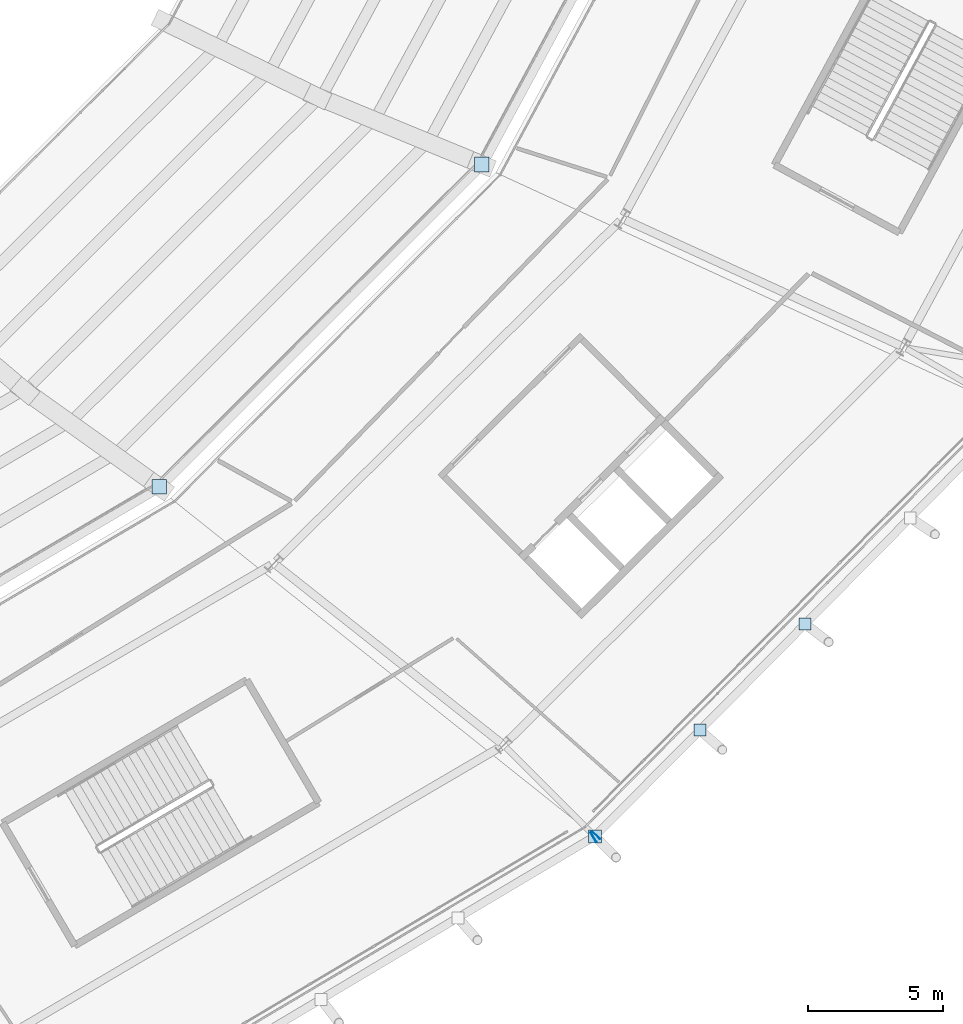
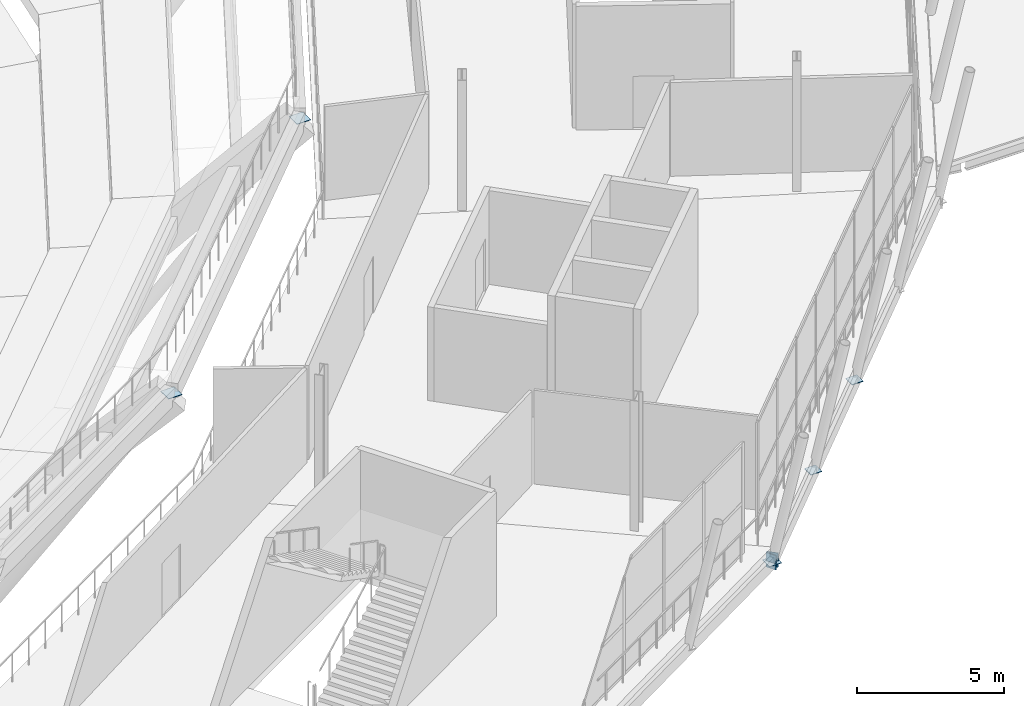
# One storey, part 84 of 126: 7 plates.
"""IFC4 building model written with IfcOpenShell, lengths in metres."""

from ifc_helpers import new_model, si_unit, direction, frame, origin, origin_2d, place, context, subcontext, project, spatial, rectangle, extrude, material, layer, layer_set, type_object, element, save


model = new_model("IFC4")

# Units and contexts
model_context = context("Model", 3, precision=1e-05, world=origin(), true_north=direction((0.0, 1.0)))
body_context = subcontext(model_context, "Body", "Model", "MODEL_VIEW")
ifc_project = project(units=[si_unit("LENGTHUNIT", "METRE"), si_unit("AREAUNIT", "SQUARE_METRE"), si_unit("VOLUMEUNIT", "CUBIC_METRE"), si_unit("PLANEANGLEUNIT", "RADIAN"), si_unit("MASSUNIT", "GRAM", prefix="KILO")], contexts=[model_context])

# Site, building, storey
site_placement = place(None, origin())
site = spatial("IfcSite", under=ifc_project, at=site_placement, CompositionType="ELEMENT")
building_placement = place(site_placement, origin())
building = spatial("IfcBuilding", under=site, at=building_placement, Name="Zlatoyarsky Gate Stadium", CompositionType="ELEMENT")
storey_placement = place(building_placement, frame((0.0, 0.0, 20.800048828125)))
storey = spatial("IfcBuildingStorey", under=building, at=storey_placement, Name="L04", CompositionType="ELEMENT", Elevation=20.800048828125)

# Plates
ifc_material = material(Name="Steel S355", Category="steel")
ifc_layer = layer(ifc_material, 0.02392578125)
ifc_layer_set = layer_set([ifc_layer], Name="Steel S355")
plate_type = type_object("IfcPlateType", Name="STEEL HOLLOW CHORD SPLICE SHEET 24", PredefinedType="SHEET", material=ifc_layer_set)
for number, where, z_axis, x_axis, name in (
    (1, (180.081787109375, 26.39208984375, -0.85009765625), (0.0, 0.0, 1.0), (0.859509176685, 0.511120313815, 0.0), "Hollow end cap ND-SP1 CAP-L04-SPD-20 B"),
    (2, (180.17578125, 26.46533203125, -0.85009765625), (0.0, 0.0, 1.0), (0.703590883794, 0.71060528301, 0.0), "Hollow end cap ND-SP1 CAP-L04-SPD-21 A"),
):
    element("IfcPlate", number, at=place(storey_placement, frame(where, z_axis=z_axis, x_axis=x_axis)), inside=storey, type_object=plate_type, Name=name, PredefinedType="SHEET", context=body_context, shape_type="SweptSolid", body=[
        extrude(rectangle(XDim=0.02392578125, YDim=0.39990234375, at=origin_2d()), origin(), (0.0, 0.0, 1.0), 0.60009765625),
    ])
plate_placement = place(storey_placement, frame((180.133544921875, 26.4228515625, -0.612060546875), z_axis=(0.0, 0.0, 1.0), x_axis=(1.0, 0.0, 0.0)))
element("IfcPlate", 3, at=plate_placement, inside=storey, type_object=plate_type, Name="Node closure plate ND-SP1 NCAP-L04-RSTR-21", PredefinedType="SHEET", context=body_context, shape_type="SweptSolid", body=[
    extrude(rectangle(XDim=0.47998046875, YDim=0.47998046875, at=origin_2d()), origin(), (0.0, 0.0, 1.0), 0.02392578125),
])
for number, where, z_axis, x_axis, name in (
    (4, (164.032958984375, 39.34130859375, 4.177978515625), (0.0, 0.0, 1.0), (1.0, 0.0, 0.0), "Node closure plate ND-SP1 NCAP-UTOP-21"),
    (5, (175.951904296875, 51.25, 4.177978515625), (0.0, 0.0, 1.0), (1.0, 0.0, 0.0), "Node closure plate ND-SP1 NCAP-UTOP-22"),
):
    element("IfcPlate", number, at=place(storey_placement, frame(where, z_axis=z_axis, x_axis=x_axis)), inside=storey, type_object=plate_type, Name=name, PredefinedType="SHEET", context=body_context, shape_type="SweptSolid", body=[
        extrude(rectangle(XDim=0.5400390625, YDim=0.5400390625, at=origin_2d()), origin(), (0.0, 0.0, 1.0), 0.02392578125),
    ])
for number, where, z_axis, x_axis, name in (
    (6, (184.017822265625, 30.345947265625, -0.56201171875), (0.0, 0.0, 1.0), (1.0, 0.0, 0.0), "Node closure plate ND-SP1 NCAP-RIB-21-1-2T"),
    (7, (187.902099609375, 34.26904296875, -0.56201171875), (0.0, 0.0, 1.0), (1.0, 0.0, 0.0), "Node closure plate ND-SP1 NCAP-RIB-21-2-2T"),
):
    element("IfcPlate", number, at=place(storey_placement, frame(where, z_axis=z_axis, x_axis=x_axis)), inside=storey, type_object=plate_type, Name=name, PredefinedType="SHEET", context=body_context, shape_type="SweptSolid", body=[
        extrude(rectangle(XDim=0.43994140625, YDim=0.43994140625, at=origin_2d()), origin(), (0.0, 0.0, 1.0), 0.02392578125),
    ])

save(model, "model.ifc")
